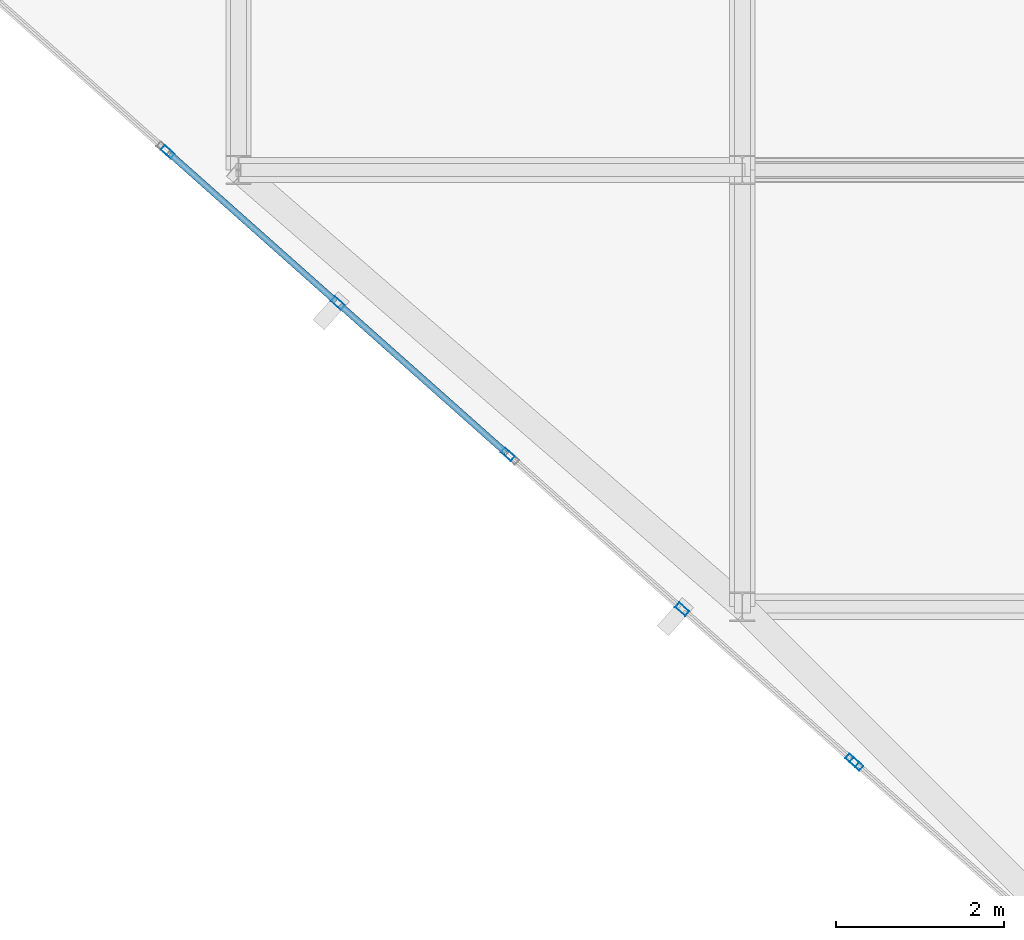
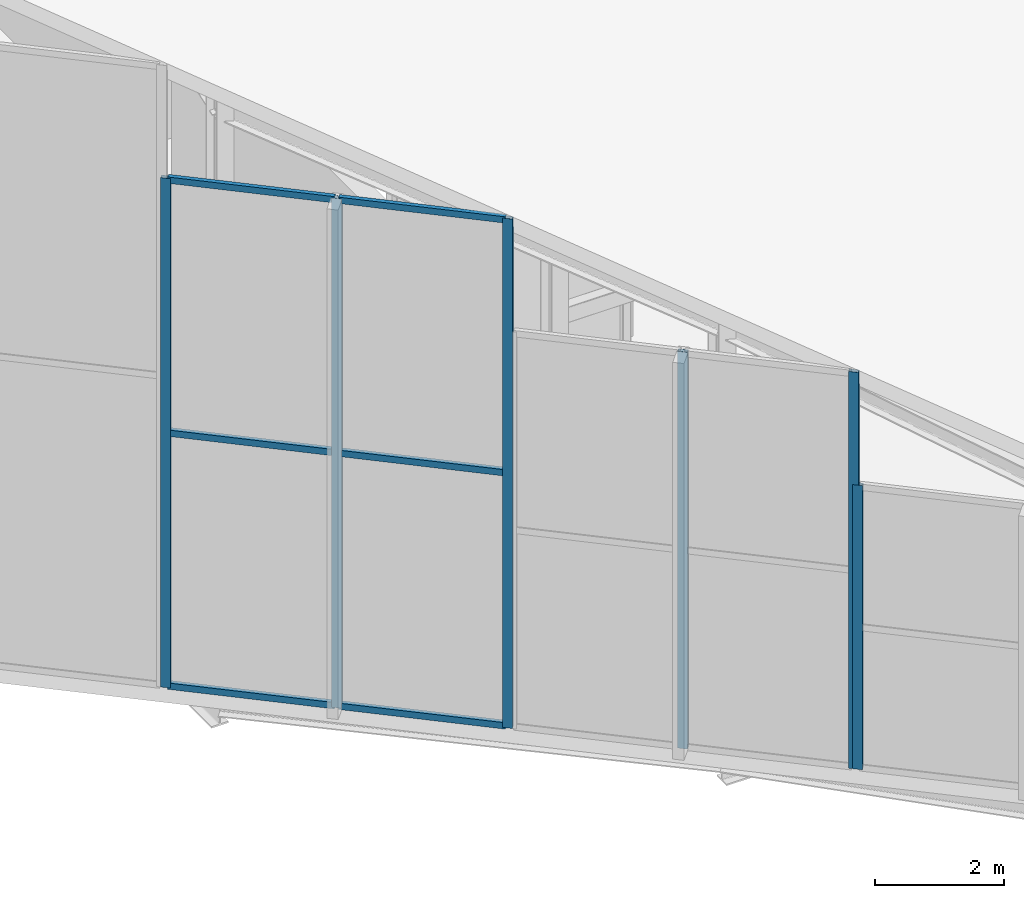
# One storey, part 4 of 74: 12 members, 3 elements without a shape of their own.
"""IFC4 building model written with IfcOpenShell, lengths in metres."""

from ifc_helpers import new_model, si_unit, direction, frame, origin, origin_2d, place, context, subcontext, project, spatial, hollow_rectangle, extrude, material, layer, layer_set, material_profile, profile_set, type_object, element, aggregate, save


model = new_model("IFC4")

# Units and contexts
model_context = context("Model", 3, precision=1e-05, world=origin(), true_north=direction((0.0, 1.0)))
body_context = subcontext(model_context, "Body", "Model", "MODEL_VIEW")
ifc_project = project(units=[si_unit("LENGTHUNIT", "METRE"), si_unit("AREAUNIT", "SQUARE_METRE"), si_unit("VOLUMEUNIT", "CUBIC_METRE"), si_unit("PLANEANGLEUNIT", "RADIAN"), si_unit("MASSUNIT", "GRAM", prefix="KILO")], contexts=[model_context])

# Site, building, storey
site_placement = place(None, origin())
site = spatial("IfcSite", under=ifc_project, at=site_placement, CompositionType="ELEMENT")
building_placement = place(site_placement, origin())
building = spatial("IfcBuilding", under=site, at=building_placement, Name="Keshet Zoharim Tower", CompositionType="ELEMENT")
storey_placement = place(building_placement, frame((0.0, 0.0, 320.0)))
storey = spatial("IfcBuildingStorey", under=building, at=storey_placement, Name="RF", CompositionType="ELEMENT", Elevation=320.0)

# Curtain wall, member
ifc_material = material(Name="Aluminium 6063-T6", Category="aluminium")
ifc_layer = layer(ifc_material, 0.260009765625)
ifc_layer_set = layer_set([ifc_layer], Name="Aluminium 6063-T6")
curtain_wall_type = type_object("IfcCurtainWallType", Name="CW-SYS-06", PredefinedType="NOTDEFINED", material=ifc_layer_set)
curtain_wall_1_placement = place(storey_placement, origin())
curtain_wall_1 = element("IfcCurtainWall", 1, at=curtain_wall_1_placement, inside=storey, type_object=curtain_wall_type, Name="Slanted Crown Curtain Wall 33", PredefinedType="NOTDEFINED")
ifc_material_profile_1 = material_profile(ifc_material, hollow_rectangle(XDim=0.074951171875, YDim=0.159912109375, WallThickness=0.00390625, at=origin_2d()), Name="MUL-75x160")
ifc_profile_set_1 = profile_set([ifc_material_profile_1], Name="Aluminium 6063-T6")
member_type_1 = type_object("IfcMemberType", Name="CWM-M15", PredefinedType="MULLION", material=ifc_profile_set_1)
member_1_placement = place(storey_placement, frame((16.357177734375, 10.827392578125, 0.0), z_axis=(0.0, 0.0, 1.0), x_axis=(-0.664409105651, -0.747369079055, 0.0)))
member_1 = element("IfcMember", 2, at=member_1_placement, type_object=member_type_1, Name="CW-06 mullion 3", PredefinedType="MULLION", context=body_context, shape_type="SweptSolid", body=[
    extrude(hollow_rectangle(XDim=0.074951171875, YDim=0.159912109375, WallThickness=0.00390625, at=origin_2d()), origin(), (0.0, 0.0, 1.0), 5.386962890625),
])
aggregate(curtain_wall_1, [member_1])

# Curtain wall, members
curtain_wall_2_placement = place(storey_placement, origin())
curtain_wall_2 = element("IfcCurtainWall", 3, at=curtain_wall_2_placement, inside=storey, type_object=curtain_wall_type, Name="Slanted Crown Curtain Wall 34", PredefinedType="NOTDEFINED")
member_2_placement = place(storey_placement, frame((16.30859375, 10.87060546875, 0.0), z_axis=(0.0, 0.0, 1.0), x_axis=(-0.664216707054, -0.747540076565, 0.0)))
member_2 = element("IfcMember", 4, at=member_2_placement, type_object=member_type_1, Name="CW-06 mullion 1", PredefinedType="MULLION", context=body_context, shape_type="SweptSolid", body=[
    extrude(hollow_rectangle(XDim=0.074951171875, YDim=0.159912109375, WallThickness=0.00390625, at=origin_2d()), origin(), (0.0, 0.0, 1.0), 7.52294921875),
])
member_3_placement = place(storey_placement, frame((14.282958984375, 12.67041015625, 0.0), z_axis=(0.0, 0.0, 1.0), x_axis=(-0.664216707054, -0.747540076565, 0.0)))
member_3 = element("IfcMember", 5, at=member_3_placement, type_object=member_type_1, Name="CW-06 mullion 2", PredefinedType="MULLION", context=body_context, shape_type="SweptSolid", body=[
    extrude(hollow_rectangle(XDim=0.074951171875, YDim=0.159912109375, WallThickness=0.00390625, at=origin_2d()), origin(), (0.0, 0.0, 1.0), 7.52294921875),
])
aggregate(curtain_wall_2, [member_2, member_3])

curtain_wall_3_placement = place(storey_placement, origin())
curtain_wall_3 = element("IfcCurtainWall", 6, at=curtain_wall_3_placement, inside=storey, type_object=curtain_wall_type, Name="Slanted Crown Curtain Wall 35", PredefinedType="NOTDEFINED")
member_4_placement = place(storey_placement, frame((12.208740234375, 14.513671875, 0.0), z_axis=(0.0, 0.0, 1.0), x_axis=(-0.664409105651, -0.747369079055, 0.0)))
member_4 = element("IfcMember", 7, at=member_4_placement, type_object=member_type_1, Name="CW-06 mullion 1", PredefinedType="MULLION", context=body_context, shape_type="SweptSolid", body=[
    extrude(hollow_rectangle(XDim=0.074951171875, YDim=0.159912109375, WallThickness=0.00390625, at=origin_2d()), origin(), (0.0, 0.0, 1.0), 9.657958984375),
])
member_5_placement = place(storey_placement, frame((10.18359375, 16.31396484375, 0.0), z_axis=(0.0, 0.0, 1.0), x_axis=(-0.664409105651, -0.747369079055, 0.0)))
member_5 = element("IfcMember", 8, at=member_5_placement, type_object=member_type_1, Name="CW-06 mullion 2", PredefinedType="MULLION", context=body_context, shape_type="SweptSolid", body=[
    extrude(hollow_rectangle(XDim=0.074951171875, YDim=0.159912109375, WallThickness=0.00390625, at=origin_2d()), origin(), (0.0, 0.0, 1.0), 9.657958984375),
])
member_6_placement = place(storey_placement, frame((8.158203125, 18.114501953125, 0.0), z_axis=(0.0, 0.0, 1.0), x_axis=(-0.664409105651, -0.747369079055, 0.0)))
member_6 = element("IfcMember", 9, at=member_6_placement, type_object=member_type_1, Name="CW-06 mullion 3", PredefinedType="MULLION", context=body_context, shape_type="SweptSolid", body=[
    extrude(hollow_rectangle(XDim=0.074951171875, YDim=0.159912109375, WallThickness=0.00390625, at=origin_2d()), origin(), (0.0, 0.0, 1.0), 9.657958984375),
])
ifc_material_profile_2 = material_profile(ifc_material, hollow_rectangle(XDim=0.074951171875, YDim=0.1201171875, WallThickness=0.00390625, at=origin_2d()), Name="TRN-75x120")
ifc_profile_set_2 = profile_set([ifc_material_profile_2], Name="Aluminium 6063-T6")
member_type_2 = type_object("IfcMemberType", Name="CWT-T12", PredefinedType="USERDEFINED", material=ifc_profile_set_2)
member_7_placement = place(storey_placement, frame((12.184326171875, 14.53515625, 0.032470703125), z_axis=(-0.74733801322, 0.664444048809, 0.0), x_axis=(-0.664444048809, -0.74733801322, 0.0)))
member_7 = element("IfcMember", 10, at=member_7_placement, type_object=member_type_2, Name="CW-06 transom 1.1", ObjectType="TRANSOM", PredefinedType="USERDEFINED", context=body_context, shape_type="SweptSolid", body=[
    extrude(hollow_rectangle(XDim=0.074951171875, YDim=0.1201171875, WallThickness=0.00390625, at=origin_2d()), origin(), (0.0, 0.0, 1.0), 2.644775390625),
])
member_8_placement = place(storey_placement, frame((12.184326171875, 14.53515625, 4.8291015625), z_axis=(-0.74733801322, 0.664444048809, 0.0), x_axis=(-0.664444048809, -0.74733801322, 0.0)))
member_8 = element("IfcMember", 11, at=member_8_placement, type_object=member_type_2, Name="CW-06 transom 1.2", ObjectType="TRANSOM", PredefinedType="USERDEFINED", context=body_context, shape_type="SweptSolid", body=[
    extrude(hollow_rectangle(XDim=0.074951171875, YDim=0.1201171875, WallThickness=0.00390625, at=origin_2d()), origin(), (0.0, 0.0, 1.0), 2.644775390625),
])
member_9_placement = place(storey_placement, frame((12.184326171875, 14.53515625, 9.62548828125), z_axis=(-0.74733801322, 0.664444048809, 0.0), x_axis=(-0.664444048809, -0.74733801322, 0.0)))
member_9 = element("IfcMember", 12, at=member_9_placement, type_object=member_type_2, Name="CW-06 transom 1.3", ObjectType="TRANSOM", PredefinedType="USERDEFINED", context=body_context, shape_type="SweptSolid", body=[
    extrude(hollow_rectangle(XDim=0.074951171875, YDim=0.1201171875, WallThickness=0.00390625, at=origin_2d()), origin(), (0.0, 0.0, 1.0), 2.644775390625),
])
member_10_placement = place(storey_placement, frame((10.1591796875, 16.335693359375, 0.032470703125), z_axis=(-0.747383851873, 0.664392487886, 0.0), x_axis=(-0.664392487886, -0.747383851873, 0.0)))
member_10 = element("IfcMember", 13, at=member_10_placement, type_object=member_type_2, Name="CW-06 transom 2.1", ObjectType="TRANSOM", PredefinedType="USERDEFINED", context=body_context, shape_type="SweptSolid", body=[
    extrude(hollow_rectangle(XDim=0.074951171875, YDim=0.1201171875, WallThickness=0.00390625, at=origin_2d()), origin(), (0.0, 0.0, 1.0), 2.64453125),
])
member_11_placement = place(storey_placement, frame((10.1591796875, 16.335693359375, 4.8291015625), z_axis=(-0.747383851873, 0.664392487886, 0.0), x_axis=(-0.664392487886, -0.747383851873, 0.0)))
member_11 = element("IfcMember", 14, at=member_11_placement, type_object=member_type_2, Name="CW-06 transom 2.2", ObjectType="TRANSOM", PredefinedType="USERDEFINED", context=body_context, shape_type="SweptSolid", body=[
    extrude(hollow_rectangle(XDim=0.074951171875, YDim=0.1201171875, WallThickness=0.00390625, at=origin_2d()), origin(), (0.0, 0.0, 1.0), 2.64453125),
])
member_12_placement = place(storey_placement, frame((10.1591796875, 16.335693359375, 9.62548828125), z_axis=(-0.747383851873, 0.664392487886, 0.0), x_axis=(-0.664392487886, -0.747383851873, 0.0)))
member_12 = element("IfcMember", 15, at=member_12_placement, type_object=member_type_2, Name="CW-06 transom 2.3", ObjectType="TRANSOM", PredefinedType="USERDEFINED", context=body_context, shape_type="SweptSolid", body=[
    extrude(hollow_rectangle(XDim=0.074951171875, YDim=0.1201171875, WallThickness=0.00390625, at=origin_2d()), origin(), (0.0, 0.0, 1.0), 2.64453125),
])
aggregate(curtain_wall_3, [member_4, member_5, member_6, member_7, member_8, member_9, member_10, member_11, member_12])

save(model, "model.ifc")
